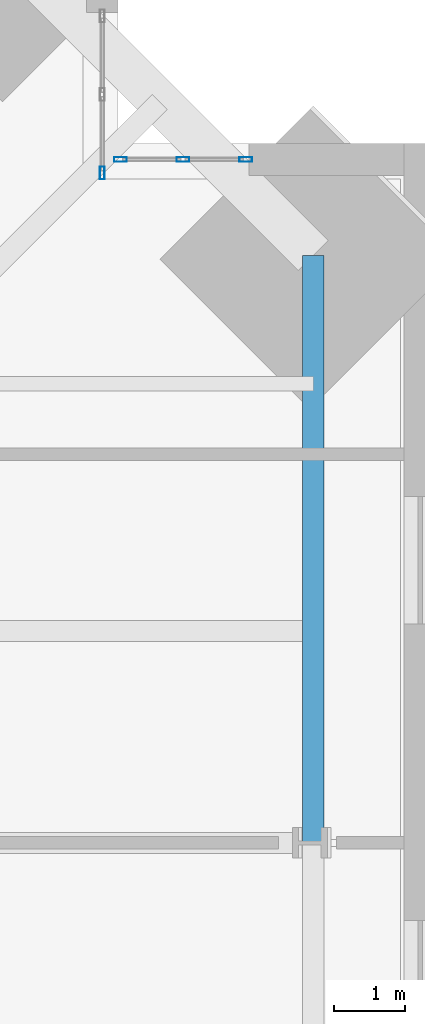
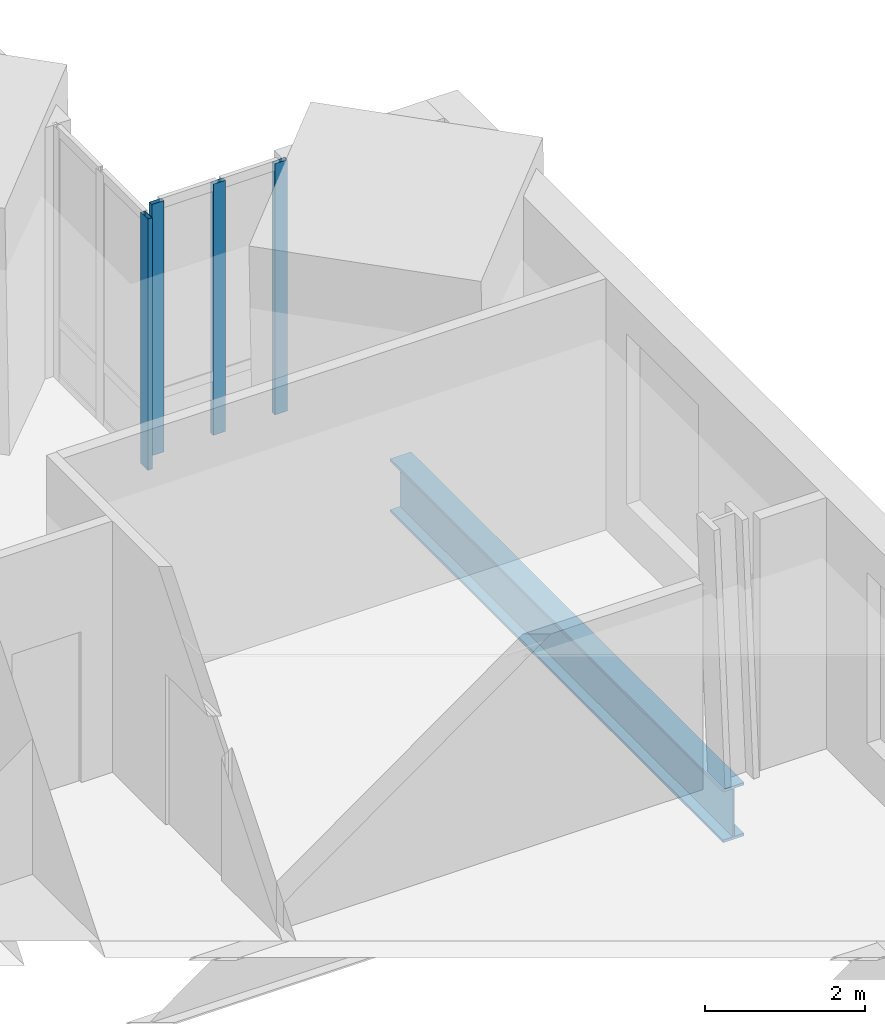
# One storey, part 9 of 17: 4 members, 1 beam, 2 elements without a shape of their own.
"""IFC4 building model written with IfcOpenShell, lengths in metres."""

import ifcopenshell
import ifcopenshell.guid

model = None  # the IFC model being written
_history = None  # IfcOwnerHistory: only IFC2X3 demands one
_inside = {}  # id of a spatial element -> (the spatial element, [elements in it])
_under = {}  # id of a project, library or spatial element -> (it, [spatial elements below it])
_declared = {}  # id of a project -> (the project, [libraries it declares])
_typed = {}  # id of a type object -> (the type object, [elements of that type])
_made_of = {}  # id of a material, layer set ... -> (it, [elements and type objects made of it])


def new_model(schema):
    """Start an empty IFC model of exactly this schema.

    Asked for "IFC4X3", IfcOpenShell would pick the latest addendum, in which some entities
    have other attributes; the version numbers below select the first issue.
    IFC2X3 requires an IfcOwnerHistory on every rooted entity: one is made here for all.
    """
    global model, _history
    if schema == "IFC4X3":
        model = ifcopenshell.file(schema_version=(4, 3, 0, 0))
    else:
        model = ifcopenshell.file(schema=schema)
    _inside.clear()
    _under.clear()
    _declared.clear()
    _typed.clear()
    _made_of.clear()
    _history = None
    if model.schema == "IFC2X3":
        org = make("IfcOrganization", Name="unknown")
        user = make(
            "IfcPersonAndOrganization",
            ThePerson=make("IfcPerson", FamilyName="unknown"),
            TheOrganization=org,
        )
        app = make(
            "IfcApplication",
            ApplicationDeveloper=org,
            Version="unknown",
            ApplicationFullName="unknown",
            ApplicationIdentifier="unknown",
        )
        _history = make(
            "IfcOwnerHistory",
            OwningUser=user,
            OwningApplication=app,
            ChangeAction="ADDED",
            CreationDate=0,
        )
    return model


def make(cls, **values):
    """One entity of the class cls with the attributes given. An attribute that is None is left unset."""
    return model.create_entity(
        cls, **{name: value for name, value in values.items() if value is not None}
    )


def rooted(cls, **values):
    """An entity with a GlobalId (a new one), such as an element, a storey or a relation."""
    return make(cls, GlobalId=ifcopenshell.guid.new(), OwnerHistory=_history, **values)


def si_unit(unit_type, name, prefix=None):
    """IfcSIUnit, for example si_unit("LENGTHUNIT", "METRE", prefix="MILLI")."""
    return make("IfcSIUnit", UnitType=unit_type, Prefix=prefix, Name=name)


def assignment(units):
    """IfcUnitAssignment: the units of a project."""
    return None if units is None else make("IfcUnitAssignment", Units=units)


def point(xyz):
    """IfcCartesianPoint."""
    return None if xyz is None else make("IfcCartesianPoint", Coordinates=xyz)


def direction(xyz):
    """IfcDirection."""
    return None if xyz is None else make("IfcDirection", DirectionRatios=xyz)


def frame(location, z_axis=None, x_axis=None):
    """IfcAxis2Placement3D, a coordinate frame: its origin and axes. An axis left out is left unset."""
    return make(
        "IfcAxis2Placement3D",
        Location=point(location),
        Axis=direction(z_axis),
        RefDirection=direction(x_axis),
    )


def frame_2d(location, x_axis=None):
    """IfcAxis2Placement2D, a coordinate frame in the plane: its origin and x axis."""
    return make(
        "IfcAxis2Placement2D", Location=point(location), RefDirection=direction(x_axis)
    )


def origin():
    """The frame at (0, 0, 0) with its axes left unset."""
    return frame((0.0, 0.0, 0.0))


def origin_2d():
    """The frame at (0, 0) in the plane with its x axis left unset."""
    return frame_2d((0.0, 0.0))


def place(relative_to, where):
    """IfcLocalPlacement: puts the frame where relative to a parent placement (None: the world)."""
    return make(
        "IfcLocalPlacement", PlacementRelTo=relative_to, RelativePlacement=where
    )


def context(
    kind, dimensions, precision=None, world=None, true_north=None, identifier=None
):
    """IfcGeometricRepresentationContext, for example the 3D "Model" context."""
    return make(
        "IfcGeometricRepresentationContext",
        ContextIdentifier=identifier,
        ContextType=kind,
        CoordinateSpaceDimension=dimensions,
        Precision=precision,
        WorldCoordinateSystem=world,
        TrueNorth=true_north,
    )


def subcontext(parent, identifier, kind, view, scale=None):
    """IfcGeometricRepresentationSubContext, for example "Body" below "Model"."""
    return make(
        "IfcGeometricRepresentationSubContext",
        ContextIdentifier=identifier,
        ContextType=kind,
        ParentContext=parent,
        TargetScale=scale,
        TargetView=view,
    )


def project(units=None, contexts=None):
    """IfcProject with its units and contexts."""
    return rooted(
        "IfcProject",
        Name="project",
        RepresentationContexts=contexts,
        UnitsInContext=assignment(units),
    )


def spatial(cls, under=None, at=None, **own):
    """A site, building, storey or space (cls), placed at a placement, below another one or the project."""
    s = rooted(cls, ObjectPlacement=at, **own)
    if under is not None:
        _under.setdefault(under.id(), (under, []))[1].append(s)
    return s


def profile(cls, at=None, kind="AREA", **sizes):
    """A parametric profile (cls). Its sizes go by their IFC names, for example OverallWidth=200.0."""
    return make(cls, ProfileType=kind, Position=at, **sizes)


def hollow_rectangle(**sizes):
    """IfcRectangleHollowProfileDef."""
    return profile("IfcRectangleHollowProfileDef", **sizes)


def i_section(**sizes):
    """IfcIShapeProfileDef."""
    return profile("IfcIShapeProfileDef", **sizes)


def extrude(swept, where, along, depth):
    """IfcExtrudedAreaSolid: the profile swept, set in the frame where, extruded along a direction by depth."""
    return make(
        "IfcExtrudedAreaSolid",
        SweptArea=swept,
        Position=where,
        ExtrudedDirection=direction(along),
        Depth=depth,
    )


def shape(context_of_items, identifier, shape_type, items):
    """IfcShapeRepresentation: the items that make up one representation, for example the "Body"."""
    return make(
        "IfcShapeRepresentation",
        ContextOfItems=context_of_items,
        RepresentationIdentifier=identifier,
        RepresentationType=shape_type,
        Items=items,
    )


def material(Name=None, Category=None):
    """IfcMaterial."""
    return make("IfcMaterial", Name=Name, Category=Category)


def material_profile(
    of_material, cross_section, Name=None, Category=None, Priority=None
):
    """IfcMaterialProfile: a cross section and its material."""
    return make(
        "IfcMaterialProfile",
        Name=Name,
        Material=of_material,
        Profile=cross_section,
        Priority=Priority,
        Category=Category,
    )


def profile_set(profiles, Name=None, composite=None):
    """IfcMaterialProfileSet."""
    return make(
        "IfcMaterialProfileSet",
        Name=Name,
        MaterialProfiles=profiles,
        CompositeProfile=composite,
    )


def made_of(thing, what):
    """Note that an element or type object is made of a material, layer set ...; save() writes the relation."""
    if what is not None:
        _made_of.setdefault(what.id(), (what, []))[1].append(thing)
    return thing


def type_object(cls, material=None, **own):
    """A type object (cls), such as IfcWallType, which elements share."""
    return made_of(rooted(cls, **own), material)


def element(
    cls,
    number,
    at=None,
    inside=None,
    cuts=None,
    type_object=None,
    material=None,
    context=None,
    identifier="Body",
    shape_type=None,
    held_by="IfcProductDefinitionShape",
    body=None,
    shapes=None,
    **own,
):
    """One element of the class cls, such as IfcWall. Its Tag is "e" and its number.

    at: its placement. inside: the storey or other place that contains it. cuts: it is an
    opening in that element (IfcRelVoidsElement). A single representation is given by context,
    identifier, shape_type and body (its items); several are given by shapes. held_by: the class
    of the entity that holds the representations. save() writes the other relations.
    """
    e = rooted(cls, Tag="e%d" % number, ObjectPlacement=at, **own)
    if body is not None:
        shapes = [shape(context, identifier, shape_type, body)]
    if shapes is not None:
        e.Representation = make(held_by, Representations=shapes)
    if inside is not None:
        _inside.setdefault(inside.id(), (inside, []))[1].append(e)
    if cuts is not None:
        rooted(
            "IfcRelVoidsElement", RelatingBuildingElement=cuts, RelatedOpeningElement=e
        )
    if type_object is not None:
        _typed.setdefault(type_object.id(), (type_object, []))[1].append(e)
    return made_of(e, material)


def aggregate(whole, parts):
    """IfcRelAggregates: a whole, such as a stair, and the parts it consists of."""
    return rooted("IfcRelAggregates", RelatingObject=whole, RelatedObjects=parts)


def save(model, path):
    """Write the relations noted so far, then the file.

    IfcRelAggregates (storeys below a building ...), IfcRelContainedInSpatialStructure (elements
    in a storey), IfcRelDefinesByType, IfcRelAssociatesMaterial and IfcRelDeclares: one each for
    every whole, place, type object, material and project.
    """
    for whole, parts in _under.values():
        aggregate(whole, parts)
    for where, things in _inside.values():
        rooted(
            "IfcRelContainedInSpatialStructure",
            RelatedElements=things,
            RelatingStructure=where,
        )
    for kind, things in _typed.values():
        rooted("IfcRelDefinesByType", RelatedObjects=things, RelatingType=kind)
    for what, things in _made_of.values():
        rooted("IfcRelAssociatesMaterial", RelatedObjects=things, RelatingMaterial=what)
    for by, libraries in _declared.values():
        rooted("IfcRelDeclares", RelatingContext=by, RelatedDefinitions=libraries)
    model.write(path)


model = new_model("IFC4")

# Units and contexts
model_context = context("Model", 3, precision=1e-05, world=origin(), true_north=direction((0.0, 1.0)))
body_context = subcontext(model_context, "Body", "Model", "MODEL_VIEW")
ifc_project = project(units=[si_unit("LENGTHUNIT", "METRE"), si_unit("AREAUNIT", "SQUARE_METRE"), si_unit("VOLUMEUNIT", "CUBIC_METRE"), si_unit("PLANEANGLEUNIT", "RADIAN"), si_unit("MASSUNIT", "GRAM", prefix="KILO")], contexts=[model_context])

# Site, building, storey
site_placement = place(None, origin())
site = spatial("IfcSite", under=ifc_project, at=site_placement, CompositionType="ELEMENT")
building_placement = place(site_placement, origin())
building = spatial("IfcBuilding", under=site, at=building_placement, Name="Peilmerk Tower", CompositionType="ELEMENT")
storey_placement = place(building_placement, frame((0.0, 0.0, 253.800048828125)))
storey = spatial("IfcBuildingStorey", under=building, at=storey_placement, Name="L56", CompositionType="ELEMENT", Elevation=253.800048828125)

# Beam
ifc_material_1 = material(Name="Steel S355", Category="steel")
ifc_material_profile_1 = material_profile(ifc_material_1, i_section(OverallWidth=0.302978515625, OverallDepth=0.81396484375, WebThickness=0.02099609375, FlangeThickness=0.0400390625, at=origin_2d()), Name="HEM 800")
ifc_profile_set_1 = profile_set([ifc_material_profile_1], Name="Steel S355")
beam_type = type_object("IfcBeamType", Name="B15 HEM 800 edge beam", PredefinedType="SPANDREL", material=ifc_profile_set_1)
beam_placement = place(storey_placement, frame((20.662841796875, 8.0, -0.5771484375), z_axis=(0.0, 1.0, 0.0), x_axis=(-1.0, 0.0, 0.0)))
element("IfcBeam", 1, at=beam_placement, inside=storey, type_object=beam_type, Name="Edge beam L56", PredefinedType="SPANDREL", context=body_context, shape_type="SweptSolid", body=[
    extrude(i_section(OverallWidth=0.302978515625, OverallDepth=0.81396484375, WebThickness=0.02099609375, FlangeThickness=0.0400390625, at=origin_2d()), origin(), (0.0, 0.0, 1.0), 8.31298828125),
])

# Curtain wall, member
ifc_material_2 = material(Name="Aluminium stick curtain wall", Category="aluminium")
curtain_wall_type = type_object("IfcCurtainWallType", Name="CW4 stick curtain wall, 2250 module", PredefinedType="NOTDEFINED", material=ifc_material_2)
curtain_wall_1_placement = place(storey_placement, origin())
curtain_wall_1 = element("IfcCurtainWall", 2, at=curtain_wall_1_placement, inside=storey, type_object=curtain_wall_type, Name="Curtain wall CW4 NEA L56", PredefinedType="NOTDEFINED")
ifc_material_3 = material(Name="Aluminium EN AW-6063 T6", Category="aluminium")
ifc_material_profile_2 = material_profile(ifc_material_3, hollow_rectangle(XDim=0.06494140625, YDim=0.179931640625, WallThickness=0.0029296875, at=origin_2d()), Name="AL 180x65x3")
ifc_profile_set_2 = profile_set([ifc_material_profile_2], Name="Aluminium EN AW-6063 T6")
member_type = type_object("IfcMemberType", Name="CW4-M AL 180x65x3 mullion", PredefinedType="MULLION", material=ifc_profile_set_2)
member_1_placement = place(storey_placement, frame((17.675048828125, 17.482421875, 0.0), z_axis=(0.0, 0.0, 1.0), x_axis=(-1.0, 0.0, 0.0)))
member_1 = element("IfcMember", 3, at=member_1_placement, type_object=member_type, Name="CW4 mullion 1", PredefinedType="MULLION", context=body_context, shape_type="SweptSolid", body=[
    extrude(hollow_rectangle(XDim=0.06494140625, YDim=0.179931640625, WallThickness=0.0029296875, at=origin_2d()), origin(), (0.0, 0.0, 1.0), 3.829833984375),
])
aggregate(curtain_wall_1, [member_1])

# Curtain wall, members
curtain_wall_2_placement = place(storey_placement, origin())
curtain_wall_2 = element("IfcCurtainWall", 4, at=curtain_wall_2_placement, inside=storey, type_object=curtain_wall_type, Name="Curtain wall CW4 NEB L56", PredefinedType="NOTDEFINED")
member_2_placement = place(storey_placement, frame((17.9326171875, 17.675048828125, 0.0), z_axis=(0.0, 0.0, 1.0), x_axis=(0.0, 1.0, 0.0)))
member_2 = element("IfcMember", 5, at=member_2_placement, type_object=member_type, Name="CW4 mullion 1", PredefinedType="MULLION", context=body_context, shape_type="SweptSolid", body=[
    extrude(hollow_rectangle(XDim=0.06494140625, YDim=0.179931640625, WallThickness=0.0029296875, at=origin_2d()), origin(), (0.0, 0.0, 1.0), 3.829833984375),
])
member_3_placement = place(storey_placement, frame((18.8193359375, 17.675048828125, 0.0), z_axis=(0.0, 0.0, 1.0), x_axis=(0.0, 1.0, 0.0)))
member_3 = element("IfcMember", 6, at=member_3_placement, type_object=member_type, Name="CW4 mullion 2", PredefinedType="MULLION", context=body_context, shape_type="SweptSolid", body=[
    extrude(hollow_rectangle(XDim=0.06494140625, YDim=0.179931640625, WallThickness=0.0029296875, at=origin_2d()), origin(), (0.0, 0.0, 1.0), 3.829833984375),
])
member_4_placement = place(storey_placement, frame((19.706298828125, 17.675048828125, 0.0), z_axis=(0.0, 0.0, 1.0), x_axis=(0.0, 1.0, 0.0)))
member_4 = element("IfcMember", 7, at=member_4_placement, type_object=member_type, Name="CW4 mullion 3", PredefinedType="MULLION", context=body_context, shape_type="SweptSolid", body=[
    extrude(hollow_rectangle(XDim=0.06494140625, YDim=0.179931640625, WallThickness=0.0029296875, at=origin_2d()), origin(), (0.0, 0.0, 1.0), 3.829833984375),
])
aggregate(curtain_wall_2, [member_2, member_3, member_4])

save(model, "model.ifc")
